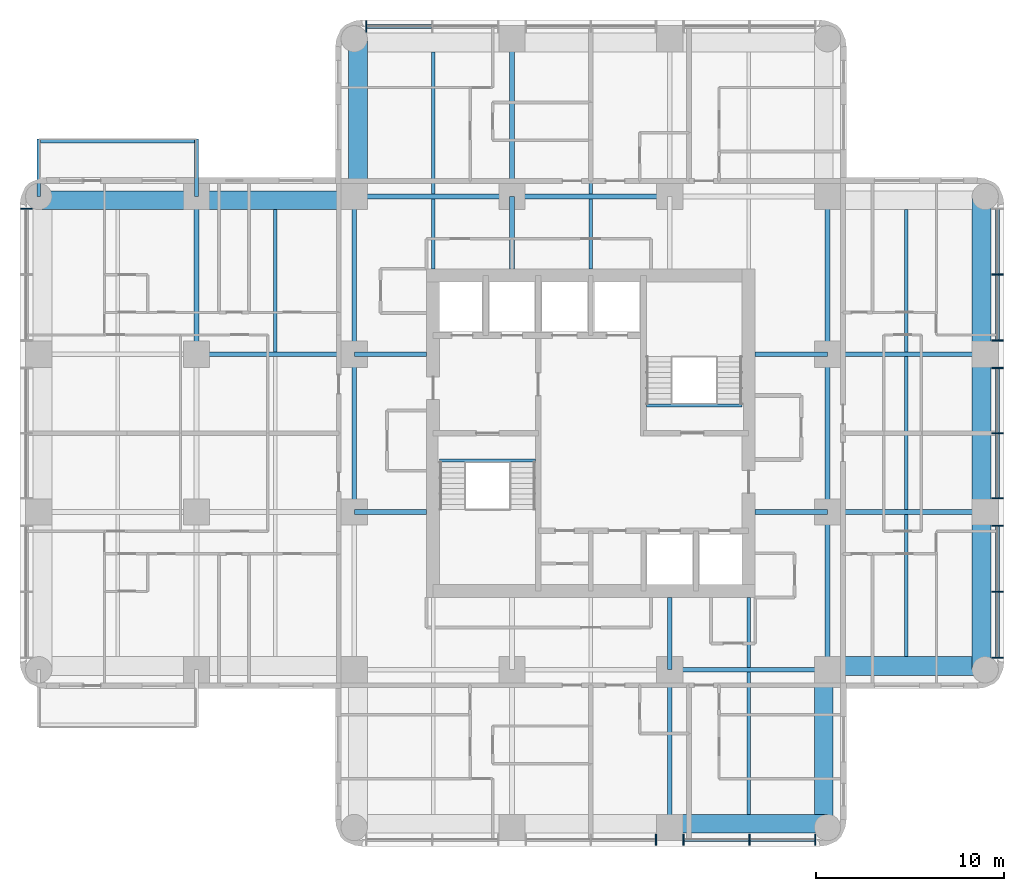
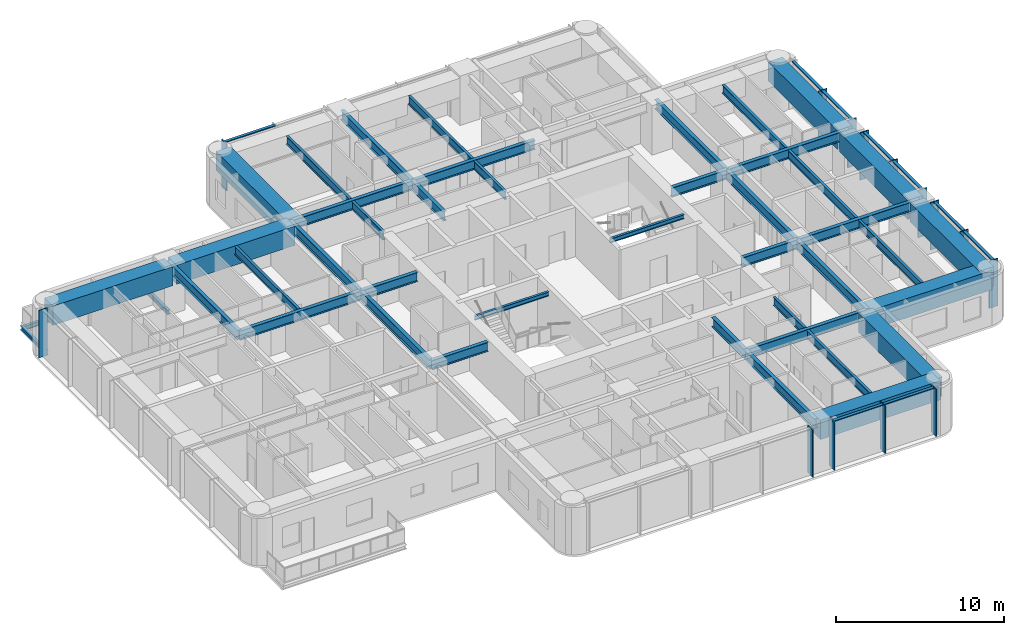
# One storey, part 2 of 11: 44 beams, 23 members, 4 elements without a shape of their own.
"""IFC4 building model written with IfcOpenShell, lengths in metres."""

from ifc_helpers import new_model, si_unit, direction, frame, origin, origin_2d, place, context, subcontext, project, spatial, rectangle, i_section, extrude, material, material_profile, profile_set, type_object, element, aggregate, save


model = new_model("IFC4")

# Units and contexts
model_context = context("Model", 3, precision=1e-05, world=origin(), true_north=direction((0.0, 1.0)))
body_context = subcontext(model_context, "Body", "Model", "MODEL_VIEW")
ifc_project = project(units=[si_unit("LENGTHUNIT", "METRE"), si_unit("AREAUNIT", "SQUARE_METRE"), si_unit("VOLUMEUNIT", "CUBIC_METRE"), si_unit("PLANEANGLEUNIT", "RADIAN"), si_unit("MASSUNIT", "GRAM", prefix="KILO")], contexts=[model_context])

# Site, building, storey
site_placement = place(None, origin())
site = spatial("IfcSite", under=ifc_project, at=site_placement, CompositionType="ELEMENT")
building_placement = place(site_placement, origin())
building = spatial("IfcBuilding", under=site, at=building_placement, Name="Torre Alcanfor", CompositionType="ELEMENT")
storey_placement = place(building_placement, frame((0.0, 0.0, 204.89990234375)))
storey = spatial("IfcBuildingStorey", under=building, at=storey_placement, Name="L53", CompositionType="ELEMENT", Elevation=204.89990234375)

# Beams
ifc_material_1 = material(Name="Steel ASTM A992 Grade 50", Category="steel")
ifc_material_profile_1 = material_profile(ifc_material_1, i_section(OverallWidth=0.205322265625, OverallDepth=0.309814453125, WebThickness=0.00927734375, FlangeThickness=0.016357421875, at=origin_2d()), Name="W12x50")
ifc_profile_set_1 = profile_set([ifc_material_profile_1], Name="Steel ASTM A992 Grade 50")
beam_type_1 = type_object("IfcBeamType", Name="Balcony cantilever beam W12x50", PredefinedType="BEAM", material=ifc_profile_set_1)
for number, where, z_axis, x_axis, name in (
    (1, (8.39990234375, 42.0, -0.354736328125), (0.0, 1.0, 0.0), (-1.0, 0.0, 0.0), "Balcony cantilever beam L53-W2 1"),
    (2, (0.0, 42.0, -0.354736328125), (0.0, 1.0, 0.0), (-1.0, 0.0, 0.0), "Balcony cantilever beam L53-W2 2"),
):
    element("IfcBeam", number, at=place(storey_placement, frame(where, z_axis=z_axis, x_axis=x_axis)), inside=storey, type_object=beam_type_1, Name=name, PredefinedType="BEAM", context=body_context, shape_type="SweptSolid", body=[
        extrude(i_section(OverallWidth=0.205322265625, OverallDepth=0.309814453125, WebThickness=0.00927734375, FlangeThickness=0.016357421875, at=origin_2d()), origin(), (0.0, 0.0, 1.0), 3.050048828125),
    ])
ifc_material_2 = material(Name="Steel ASTM A992 Grade 50", Category="steel")
ifc_material_profile_2 = material_profile(ifc_material_2, i_section(OverallWidth=0.203369140625, OverallDepth=0.30224609375, WebThickness=0.007568359375, FlangeThickness=0.01318359375, at=origin_2d()), Name="W12x40")
ifc_profile_set_2 = profile_set([ifc_material_profile_2], Name="Steel ASTM A992 Grade 50")
beam_type_2 = type_object("IfcBeamType", Name="Balcony edge trimmer W12x40", PredefinedType="BEAM", material=ifc_profile_set_2)
beam_1_placement = place(storey_placement, frame((8.39990234375, 44.9482421875, -0.35107421875), z_axis=(-1.0, 0.0, 0.0), x_axis=(0.0, -1.0, 0.0)))
element("IfcBeam", 3, at=beam_1_placement, inside=storey, type_object=beam_type_2, Name="Balcony edge trimmer L53-W2", PredefinedType="BEAM", context=body_context, shape_type="SweptSolid", body=[
    extrude(i_section(OverallWidth=0.203369140625, OverallDepth=0.30224609375, WebThickness=0.007568359375, FlangeThickness=0.01318359375, at=origin_2d()), origin(), (0.0, 0.0, 1.0), 8.39990234375),
])

# Curtain wall, member
ifc_material_3 = material(Name="Aluminium and glass", Category="aluminium")
curtain_wall_type = type_object("IfcCurtainWallType", Name="CW-A unitised apartment glazing with vertical FIN", PredefinedType="NOTDEFINED", material=ifc_material_3)
curtain_wall_1_placement = place(storey_placement, origin())
curtain_wall_1 = element("IfcCurtainWall", 4, at=curtain_wall_1_placement, inside=storey, type_object=curtain_wall_type, Name="Curtain wall CW-A L53 2", PredefinedType="NOTDEFINED")
ifc_material_4 = material(Name="Bronze anodised aluminium", Category="aluminium")
ifc_material_profile_3 = material_profile(ifc_material_4, rectangle(XDim=0.60009765625, YDim=0.06494140625, at=origin_2d()), Name="CW-A mullion 65x600")
ifc_profile_set_3 = profile_set([ifc_material_profile_3], Name="Bronze anodised aluminium")
member_type_1 = type_object("IfcMemberType", Name="CW-A mullion with vertical FIN 65x600", PredefinedType="MULLION", material=ifc_profile_set_3)
member_1_placement = place(storey_placement, frame((-0.64990234375, 41.35546875, 0.0), z_axis=(0.0, 0.0, 1.0), x_axis=(1.0, 0.0, 0.0)))
member_1 = element("IfcMember", 5, at=member_1_placement, type_object=member_type_1, Name="CW-A mullion 1.1", PredefinedType="MULLION", context=body_context, shape_type="SweptSolid", body=[
    extrude(rectangle(XDim=0.60009765625, YDim=0.06494140625, at=origin_2d()), origin(), (0.0, 0.0, 1.0), 3.4501953125),
])
aggregate(curtain_wall_1, [member_1])

# Curtain wall, members
curtain_wall_2_placement = place(storey_placement, origin())
curtain_wall_2 = element("IfcCurtainWall", 6, at=curtain_wall_2_placement, inside=storey, type_object=curtain_wall_type, Name="Curtain wall CW-A L53 5", PredefinedType="NOTDEFINED")
member_2_placement = place(storey_placement, frame((32.862548828125, 7.75, 0.0), z_axis=(0.0, 0.0, 1.0), x_axis=(0.0, 1.0, 0.0)))
member_2 = element("IfcMember", 7, at=member_2_placement, type_object=member_type_1, Name="CW-A mullion 2.3", PredefinedType="MULLION", context=body_context, shape_type="SweptSolid", body=[
    extrude(rectangle(XDim=0.60009765625, YDim=0.06494140625, at=origin_2d()), origin(), (0.0, 0.0, 1.0), 3.4501953125),
])
member_3_placement = place(storey_placement, frame((34.33740234375, 7.75, 0.0), z_axis=(0.0, 0.0, 1.0), x_axis=(0.0, 1.0, 0.0)))
member_3 = element("IfcMember", 8, at=member_3_placement, type_object=member_type_1, Name="CW-A mullion 3.1", PredefinedType="MULLION", context=body_context, shape_type="SweptSolid", body=[
    extrude(rectangle(XDim=0.60009765625, YDim=0.06494140625, at=origin_2d()), origin(), (0.0, 0.0, 1.0), 3.4501953125),
])
member_4_placement = place(storey_placement, frame((37.846435546875, 7.75, 0.0), z_axis=(0.0, 0.0, 1.0), x_axis=(0.0, 1.0, 0.0)))
member_4 = element("IfcMember", 9, at=member_4_placement, type_object=member_type_1, Name="CW-A mullion 3.2", PredefinedType="MULLION", context=body_context, shape_type="SweptSolid", body=[
    extrude(rectangle(XDim=0.60009765625, YDim=0.06494140625, at=origin_2d()), origin(), (0.0, 0.0, 1.0), 3.4501953125),
])
member_5_placement = place(storey_placement, frame((41.35546875, 7.75, 0.0), z_axis=(0.0, 0.0, 1.0), x_axis=(0.0, 1.0, 0.0)))
member_5 = element("IfcMember", 10, at=member_5_placement, type_object=member_type_1, Name="CW-A mullion 3.3", PredefinedType="MULLION", context=body_context, shape_type="SweptSolid", body=[
    extrude(rectangle(XDim=0.60009765625, YDim=0.06494140625, at=origin_2d()), origin(), (0.0, 0.0, 1.0), 3.4501953125),
])

curtain_wall_3_placement = place(storey_placement, origin())
curtain_wall_3 = element("IfcCurtainWall", 11, at=curtain_wall_3_placement, inside=storey, type_object=curtain_wall_type, Name="Curtain wall CW-A L53 8", PredefinedType="NOTDEFINED")
member_6_placement = place(storey_placement, frame((51.050048828125, 17.444580078125, 0.0), z_axis=(0.0, 0.0, 1.0), x_axis=(-1.0, 0.0, 0.0)))
member_6 = element("IfcMember", 12, at=member_6_placement, type_object=member_type_1, Name="CW-A mullion 1.1", PredefinedType="MULLION", context=body_context, shape_type="SweptSolid", body=[
    extrude(rectangle(XDim=0.60009765625, YDim=0.06494140625, at=origin_2d()), origin(), (0.0, 0.0, 1.0), 3.4501953125),
])
member_7_placement = place(storey_placement, frame((51.050048828125, 20.95361328125, 0.0), z_axis=(0.0, 0.0, 1.0), x_axis=(-1.0, 0.0, 0.0)))
member_7 = element("IfcMember", 13, at=member_7_placement, type_object=member_type_1, Name="CW-A mullion 1.2", PredefinedType="MULLION", context=body_context, shape_type="SweptSolid", body=[
    extrude(rectangle(XDim=0.60009765625, YDim=0.06494140625, at=origin_2d()), origin(), (0.0, 0.0, 1.0), 3.4501953125),
])
member_8_placement = place(storey_placement, frame((51.050048828125, 24.46240234375, 0.0), z_axis=(0.0, 0.0, 1.0), x_axis=(-1.0, 0.0, 0.0)))
member_8 = element("IfcMember", 14, at=member_8_placement, type_object=member_type_1, Name="CW-A mullion 1.3", PredefinedType="MULLION", context=body_context, shape_type="SweptSolid", body=[
    extrude(rectangle(XDim=0.60009765625, YDim=0.06494140625, at=origin_2d()), origin(), (0.0, 0.0, 1.0), 3.4501953125),
])
member_9_placement = place(storey_placement, frame((51.050048828125, 25.9375, 0.0), z_axis=(0.0, 0.0, 1.0), x_axis=(-1.0, 0.0, 0.0)))
member_9 = element("IfcMember", 15, at=member_9_placement, type_object=member_type_1, Name="CW-A mullion 2.1", PredefinedType="MULLION", context=body_context, shape_type="SweptSolid", body=[
    extrude(rectangle(XDim=0.60009765625, YDim=0.06494140625, at=origin_2d()), origin(), (0.0, 0.0, 1.0), 3.4501953125),
])
member_10_placement = place(storey_placement, frame((51.050048828125, 29.39990234375, 0.0), z_axis=(0.0, 0.0, 1.0), x_axis=(-1.0, 0.0, 0.0)))
member_10 = element("IfcMember", 16, at=member_10_placement, type_object=member_type_1, Name="CW-A mullion 2.2", PredefinedType="MULLION", context=body_context, shape_type="SweptSolid", body=[
    extrude(rectangle(XDim=0.60009765625, YDim=0.06494140625, at=origin_2d()), origin(), (0.0, 0.0, 1.0), 3.4501953125),
])
member_11_placement = place(storey_placement, frame((51.050048828125, 32.862548828125, 0.0), z_axis=(0.0, 0.0, 1.0), x_axis=(-1.0, 0.0, 0.0)))
member_11 = element("IfcMember", 17, at=member_11_placement, type_object=member_type_1, Name="CW-A mullion 2.3", PredefinedType="MULLION", context=body_context, shape_type="SweptSolid", body=[
    extrude(rectangle(XDim=0.60009765625, YDim=0.06494140625, at=origin_2d()), origin(), (0.0, 0.0, 1.0), 3.4501953125),
])
member_12_placement = place(storey_placement, frame((51.050048828125, 34.33740234375, 0.0), z_axis=(0.0, 0.0, 1.0), x_axis=(-1.0, 0.0, 0.0)))
member_12 = element("IfcMember", 18, at=member_12_placement, type_object=member_type_1, Name="CW-A mullion 3.1", PredefinedType="MULLION", context=body_context, shape_type="SweptSolid", body=[
    extrude(rectangle(XDim=0.60009765625, YDim=0.06494140625, at=origin_2d()), origin(), (0.0, 0.0, 1.0), 3.4501953125),
])
member_13_placement = place(storey_placement, frame((51.050048828125, 37.846435546875, 0.0), z_axis=(0.0, 0.0, 1.0), x_axis=(-1.0, 0.0, 0.0)))
member_13 = element("IfcMember", 19, at=member_13_placement, type_object=member_type_1, Name="CW-A mullion 3.2", PredefinedType="MULLION", context=body_context, shape_type="SweptSolid", body=[
    extrude(rectangle(XDim=0.60009765625, YDim=0.06494140625, at=origin_2d()), origin(), (0.0, 0.0, 1.0), 3.4501953125),
])

# Curtain wall, member
curtain_wall_4_placement = place(storey_placement, origin())
curtain_wall_4 = element("IfcCurtainWall", 20, at=curtain_wall_4_placement, inside=storey, type_object=curtain_wall_type, Name="Curtain wall CW-A L53 11", PredefinedType="NOTDEFINED")
member_14_placement = place(storey_placement, frame((17.444580078125, 51.050048828125, 0.0), z_axis=(0.0, 0.0, 1.0), x_axis=(0.0, -1.0, 0.0)))
member_14 = element("IfcMember", 21, at=member_14_placement, type_object=member_type_1, Name="CW-A mullion 3.3", PredefinedType="MULLION", context=body_context, shape_type="SweptSolid", body=[
    extrude(rectangle(XDim=0.60009765625, YDim=0.06494140625, at=origin_2d()), origin(), (0.0, 0.0, 1.0), 3.4501953125),
])

# Member
ifc_material_5 = material(Name="Extruded aluminium", Category="aluminium")
ifc_material_profile_4 = material_profile(ifc_material_5, rectangle(XDim=0.199951171875, YDim=0.06494140625, at=origin_2d()), Name="CW-A transom 200x65")
ifc_profile_set_4 = profile_set([ifc_material_profile_4], Name="Extruded aluminium")
member_type_2 = type_object("IfcMemberType", Name="CW-A transom 65x200", PredefinedType="USERDEFINED", material=ifc_profile_set_4)
member_15_placement = place(storey_placement, frame((34.3701171875, 7.75, 3.41748046875), z_axis=(1.0, 0.0, 0.0), x_axis=(0.0, 1.0, 0.0)))
member_15 = element("IfcMember", 22, at=member_15_placement, type_object=member_type_2, Name="CW-A transom 3.1.2", ObjectType="TRANSOM", PredefinedType="USERDEFINED", context=body_context, shape_type="SweptSolid", body=[
    extrude(rectangle(XDim=0.199951171875, YDim=0.06494140625, at=origin_2d()), origin(), (0.0, 0.0, 1.0), 3.44384765625),
])

member_16_placement = place(storey_placement, frame((37.87890625, 7.75, 3.41748046875), z_axis=(1.0, 0.0, 0.0), x_axis=(0.0, 1.0, 0.0)))
member_16 = element("IfcMember", 23, at=member_16_placement, type_object=member_type_2, Name="CW-A transom 3.2.2", ObjectType="TRANSOM", PredefinedType="USERDEFINED", context=body_context, shape_type="SweptSolid", body=[
    extrude(rectangle(XDim=0.199951171875, YDim=0.06494140625, at=origin_2d()), origin(), (0.0, 0.0, 1.0), 3.444091796875),
])

aggregate(curtain_wall_2, [member_2, member_3, member_4, member_5, member_15, member_16])

member_17_placement = place(storey_placement, frame((51.050048828125, 17.47705078125, 3.41748046875), z_axis=(0.0, 1.0, 0.0), x_axis=(-1.0, 0.0, 0.0)))
member_17 = element("IfcMember", 24, at=member_17_placement, type_object=member_type_2, Name="CW-A transom 1.1.2", ObjectType="TRANSOM", PredefinedType="USERDEFINED", context=body_context, shape_type="SweptSolid", body=[
    extrude(rectangle(XDim=0.199951171875, YDim=0.06494140625, at=origin_2d()), origin(), (0.0, 0.0, 1.0), 3.44384765625),
])

member_18_placement = place(storey_placement, frame((51.050048828125, 20.986083984375, 3.41748046875), z_axis=(0.0, 1.0, 0.0), x_axis=(-1.0, 0.0, 0.0)))
member_18 = element("IfcMember", 25, at=member_18_placement, type_object=member_type_2, Name="CW-A transom 1.2.2", ObjectType="TRANSOM", PredefinedType="USERDEFINED", context=body_context, shape_type="SweptSolid", body=[
    extrude(rectangle(XDim=0.199951171875, YDim=0.06494140625, at=origin_2d()), origin(), (0.0, 0.0, 1.0), 3.44384765625),
])

member_19_placement = place(storey_placement, frame((51.050048828125, 25.969970703125, 3.41748046875), z_axis=(0.0, 1.0, 0.0), x_axis=(-1.0, 0.0, 0.0)))
member_19 = element("IfcMember", 26, at=member_19_placement, type_object=member_type_2, Name="CW-A transom 2.1.2", ObjectType="TRANSOM", PredefinedType="USERDEFINED", context=body_context, shape_type="SweptSolid", body=[
    extrude(rectangle(XDim=0.199951171875, YDim=0.06494140625, at=origin_2d()), origin(), (0.0, 0.0, 1.0), 3.3974609375),
])

member_20_placement = place(storey_placement, frame((51.050048828125, 29.4326171875, 3.41748046875), z_axis=(0.0, 1.0, 0.0), x_axis=(-1.0, 0.0, 0.0)))
member_20 = element("IfcMember", 27, at=member_20_placement, type_object=member_type_2, Name="CW-A transom 2.2.2", ObjectType="TRANSOM", PredefinedType="USERDEFINED", context=body_context, shape_type="SweptSolid", body=[
    extrude(rectangle(XDim=0.199951171875, YDim=0.06494140625, at=origin_2d()), origin(), (0.0, 0.0, 1.0), 3.3974609375),
])

member_21_placement = place(storey_placement, frame((51.050048828125, 34.3701171875, 3.41748046875), z_axis=(0.0, 1.0, 0.0), x_axis=(-1.0, 0.0, 0.0)))
member_21 = element("IfcMember", 28, at=member_21_placement, type_object=member_type_2, Name="CW-A transom 3.1.2", ObjectType="TRANSOM", PredefinedType="USERDEFINED", context=body_context, shape_type="SweptSolid", body=[
    extrude(rectangle(XDim=0.199951171875, YDim=0.06494140625, at=origin_2d()), origin(), (0.0, 0.0, 1.0), 3.44384765625),
])

member_22_placement = place(storey_placement, frame((51.050048828125, 37.87890625, 3.41748046875), z_axis=(0.0, 1.0, 0.0), x_axis=(-1.0, 0.0, 0.0)))
member_22 = element("IfcMember", 29, at=member_22_placement, type_object=member_type_2, Name="CW-A transom 3.2.2", ObjectType="TRANSOM", PredefinedType="USERDEFINED", context=body_context, shape_type="SweptSolid", body=[
    extrude(rectangle(XDim=0.199951171875, YDim=0.06494140625, at=origin_2d()), origin(), (0.0, 0.0, 1.0), 3.444091796875),
])

aggregate(curtain_wall_3, [member_6, member_7, member_8, member_17, member_18, member_9, member_10, member_11, member_19, member_20, member_12, member_13, member_21, member_22])

member_23_placement = place(storey_placement, frame((20.9208984375, 51.050048828125, 3.41748046875), z_axis=(-1.0, 0.0, 0.0), x_axis=(0.0, -1.0, 0.0)))
member_23 = element("IfcMember", 30, at=member_23_placement, type_object=member_type_2, Name="CW-A transom 3.2.2", ObjectType="TRANSOM", PredefinedType="USERDEFINED", context=body_context, shape_type="SweptSolid", body=[
    extrude(rectangle(XDim=0.199951171875, YDim=0.06494140625, at=origin_2d()), origin(), (0.0, 0.0, 1.0), 3.44384765625),
])

aggregate(curtain_wall_4, [member_14, member_23])

# Beams
ifc_material_6 = material(Name="Steel ASTM A992 Grade 50", Category="steel")
ifc_material_profile_5 = material_profile(ifc_material_6, i_section(OverallWidth=0.25390625, OverallDepth=0.683349609375, WebThickness=0.012451171875, FlangeThickness=0.01904296875, at=origin_2d()), Name="W27x94")
ifc_profile_set_5 = profile_set([ifc_material_profile_5], Name="Steel ASTM A992 Grade 50")
beam_type_3 = type_object("IfcBeamType", Name="Girder W27x94", PredefinedType="BEAM", material=ifc_profile_set_5)
for number, where, z_axis, x_axis, name in (
    (31, (33.60009765625, 16.800048828125, 3.1083984375), (1.0, 0.0, 0.0), (0.0, 1.0, 0.0), "Beam 5E-6E under L54"),
    (32, (42.0, 25.199951171875, 3.1083984375), (1.0, 0.0, 0.0), (0.0, 1.0, 0.0), "Beam 6F-7F under L54"),
):
    element("IfcBeam", number, at=place(storey_placement, frame(where, z_axis=z_axis, x_axis=x_axis)), inside=storey, type_object=beam_type_3, Name=name, PredefinedType="BEAM", context=body_context, shape_type="SweptSolid", body=[
        extrude(i_section(OverallWidth=0.25390625, OverallDepth=0.683349609375, WebThickness=0.012451171875, FlangeThickness=0.01904296875, at=origin_2d()), origin(), (0.0, 0.0, 1.0), 8.39990234375),
    ])
beam_2_placement = place(storey_placement, frame((8.39990234375, 33.60009765625, 3.1083984375), z_axis=(1.0, 0.0, 0.0), x_axis=(0.0, 1.0, 0.0)))
element("IfcBeam", 33, at=beam_2_placement, inside=storey, type_object=beam_type_3, Name="Beam 2G-3G under L54", PredefinedType="BEAM", context=body_context, shape_type="SweptSolid", body=[
    extrude(i_section(OverallWidth=0.25390625, OverallDepth=0.683349609375, WebThickness=0.012451171875, FlangeThickness=0.01904296875, at=origin_2d()), origin(), (0.0, 0.0, 1.0), 8.400146484375),
])
for number, where, z_axis, x_axis, name in (
    (34, (42.0, 33.60009765625, 3.1083984375), (1.0, 0.0, 0.0), (0.0, 1.0, 0.0), "Beam 6G-7G under L54"),
    (35, (16.800048828125, 42.0, 3.1083984375), (1.0, 0.0, 0.0), (0.0, 1.0, 0.0), "Beam 3H-4H under L54"),
):
    element("IfcBeam", number, at=place(storey_placement, frame(where, z_axis=z_axis, x_axis=x_axis)), inside=storey, type_object=beam_type_3, Name=name, PredefinedType="BEAM", context=body_context, shape_type="SweptSolid", body=[
        extrude(i_section(OverallWidth=0.25390625, OverallDepth=0.683349609375, WebThickness=0.012451171875, FlangeThickness=0.01904296875, at=origin_2d()), origin(), (0.0, 0.0, 1.0), 8.39990234375),
    ])
beam_3_placement = place(storey_placement, frame((25.199951171875, 42.0, 3.1083984375), z_axis=(1.0, 0.0, 0.0), x_axis=(0.0, 1.0, 0.0)))
element("IfcBeam", 36, at=beam_3_placement, inside=storey, type_object=beam_type_3, Name="Beam 4H-5H under L54", PredefinedType="BEAM", context=body_context, shape_type="SweptSolid", body=[
    extrude(i_section(OverallWidth=0.25390625, OverallDepth=0.683349609375, WebThickness=0.012451171875, FlangeThickness=0.01904296875, at=origin_2d()), origin(), (0.0, 0.0, 1.0), 8.400146484375),
])
beam_4_placement = place(storey_placement, frame((8.39990234375, 33.60009765625, 3.1083984375), z_axis=(0.0, 1.0, 0.0), x_axis=(-1.0, 0.0, 0.0)))
element("IfcBeam", 37, at=beam_4_placement, inside=storey, type_object=beam_type_3, Name="Beam 2G-2H under L54", PredefinedType="BEAM", context=body_context, shape_type="SweptSolid", body=[
    extrude(i_section(OverallWidth=0.25390625, OverallDepth=0.683349609375, WebThickness=0.012451171875, FlangeThickness=0.01904296875, at=origin_2d()), origin(), (0.0, 0.0, 1.0), 8.39990234375),
])
beam_5_placement = place(storey_placement, frame((16.800048828125, 25.199951171875, 3.1083984375), z_axis=(0.0, 1.0, 0.0), x_axis=(-1.0, 0.0, 0.0)))
element("IfcBeam", 38, at=beam_5_placement, inside=storey, type_object=beam_type_3, Name="Beam 3F-3G under L54", PredefinedType="BEAM", context=body_context, shape_type="SweptSolid", body=[
    extrude(i_section(OverallWidth=0.25390625, OverallDepth=0.683349609375, WebThickness=0.012451171875, FlangeThickness=0.01904296875, at=origin_2d()), origin(), (0.0, 0.0, 1.0), 8.400146484375),
])
for number, where, z_axis, x_axis, name in (
    (39, (16.800048828125, 33.60009765625, 3.1083984375), (0.0, 1.0, 0.0), (-1.0, 0.0, 0.0), "Beam 3G-3H under L54"),
    (40, (25.199951171875, 42.0, 3.1083984375), (0.0, 1.0, 0.0), (-1.0, 0.0, 0.0), "Beam 4H-4J under L54"),
):
    element("IfcBeam", number, at=place(storey_placement, frame(where, z_axis=z_axis, x_axis=x_axis)), inside=storey, type_object=beam_type_3, Name=name, PredefinedType="BEAM", context=body_context, shape_type="SweptSolid", body=[
        extrude(i_section(OverallWidth=0.25390625, OverallDepth=0.683349609375, WebThickness=0.012451171875, FlangeThickness=0.01904296875, at=origin_2d()), origin(), (0.0, 0.0, 1.0), 8.39990234375),
    ])
beam_6_placement = place(storey_placement, frame((33.60009765625, 8.39990234375, 3.1083984375), z_axis=(0.0, 1.0, 0.0), x_axis=(-1.0, 0.0, 0.0)))
element("IfcBeam", 41, at=beam_6_placement, inside=storey, type_object=beam_type_3, Name="Beam 5D-5E under L54", PredefinedType="BEAM", context=body_context, shape_type="SweptSolid", body=[
    extrude(i_section(OverallWidth=0.25390625, OverallDepth=0.683349609375, WebThickness=0.012451171875, FlangeThickness=0.01904296875, at=origin_2d()), origin(), (0.0, 0.0, 1.0), 8.400146484375),
])
beam_7_placement = place(storey_placement, frame((42.0, 16.800048828125, 3.1083984375), z_axis=(0.0, 1.0, 0.0), x_axis=(-1.0, 0.0, 0.0)))
element("IfcBeam", 42, at=beam_7_placement, inside=storey, type_object=beam_type_3, Name="Beam 6E-6F under L54", PredefinedType="BEAM", context=body_context, shape_type="SweptSolid", body=[
    extrude(i_section(OverallWidth=0.25390625, OverallDepth=0.683349609375, WebThickness=0.012451171875, FlangeThickness=0.01904296875, at=origin_2d()), origin(), (0.0, 0.0, 1.0), 8.39990234375),
])
beam_8_placement = place(storey_placement, frame((42.0, 25.199951171875, 3.1083984375), z_axis=(0.0, 1.0, 0.0), x_axis=(-1.0, 0.0, 0.0)))
element("IfcBeam", 43, at=beam_8_placement, inside=storey, type_object=beam_type_3, Name="Beam 6F-6G under L54", PredefinedType="BEAM", context=body_context, shape_type="SweptSolid", body=[
    extrude(i_section(OverallWidth=0.25390625, OverallDepth=0.683349609375, WebThickness=0.012451171875, FlangeThickness=0.01904296875, at=origin_2d()), origin(), (0.0, 0.0, 1.0), 8.400146484375),
])
beam_9_placement = place(storey_placement, frame((42.0, 33.60009765625, 3.1083984375), z_axis=(0.0, 1.0, 0.0), x_axis=(-1.0, 0.0, 0.0)))
element("IfcBeam", 44, at=beam_9_placement, inside=storey, type_object=beam_type_3, Name="Beam 6G-6H under L54", PredefinedType="BEAM", context=body_context, shape_type="SweptSolid", body=[
    extrude(i_section(OverallWidth=0.25390625, OverallDepth=0.683349609375, WebThickness=0.012451171875, FlangeThickness=0.01904296875, at=origin_2d()), origin(), (0.0, 0.0, 1.0), 8.39990234375),
])
ifc_material_7 = material(Name="Steel ASTM A992 Grade 50", Category="steel")
ifc_material_profile_6 = material_profile(ifc_material_7, i_section(OverallWidth=0.25390625, OverallDepth=0.683349609375, WebThickness=0.012451171875, FlangeThickness=0.01904296875, at=origin_2d()), Name="W27x94")
ifc_profile_set_6 = profile_set([ifc_material_profile_6], Name="Steel ASTM A992 Grade 50")
beam_type_4 = type_object("IfcBeamType", Name="Girder, part bay W27x94", PredefinedType="BEAM", material=ifc_profile_set_6)
beam_10_placement = place(storey_placement, frame((25.199951171875, 42.0, 3.1083984375), z_axis=(0.0, -1.0, 0.0), x_axis=(1.0, 0.0, 0.0)))
element("IfcBeam", 45, at=beam_10_placement, inside=storey, type_object=beam_type_4, Name="Beam 4H-438_15 under L54", PredefinedType="BEAM", context=body_context, shape_type="SweptSolid", body=[
    extrude(i_section(OverallWidth=0.25390625, OverallDepth=0.683349609375, WebThickness=0.012451171875, FlangeThickness=0.01904296875, at=origin_2d()), origin(), (0.0, 0.0, 1.0), 3.85009765625),
])
for number, where, z_axis, x_axis, name in (
    (46, (33.60009765625, 16.800048828125, 3.1083984375), (0.0, 1.0, 0.0), (-1.0, 0.0, 0.0), "Beam 5E-520_65 under L54"),
    (47, (16.800048828125, 25.199951171875, 3.1083984375), (1.0, 0.0, 0.0), (0.0, 1.0, 0.0), "Beam 3F-20_65F under L54"),
):
    element("IfcBeam", number, at=place(storey_placement, frame(where, z_axis=z_axis, x_axis=x_axis)), inside=storey, type_object=beam_type_4, Name=name, PredefinedType="BEAM", context=body_context, shape_type="SweptSolid", body=[
        extrude(i_section(OverallWidth=0.25390625, OverallDepth=0.683349609375, WebThickness=0.012451171875, FlangeThickness=0.01904296875, at=origin_2d()), origin(), (0.0, 0.0, 1.0), 3.849853515625),
    ])
beam_11_placement = place(storey_placement, frame((42.0, 25.199951171875, 3.1083984375), z_axis=(-1.0, 0.0, 0.0), x_axis=(0.0, -1.0, 0.0)))
element("IfcBeam", 48, at=beam_11_placement, inside=storey, type_object=beam_type_4, Name="Beam 6F-38_15F under L54", PredefinedType="BEAM", context=body_context, shape_type="SweptSolid", body=[
    extrude(i_section(OverallWidth=0.25390625, OverallDepth=0.683349609375, WebThickness=0.012451171875, FlangeThickness=0.01904296875, at=origin_2d()), origin(), (0.0, 0.0, 1.0), 3.85009765625),
])
beam_12_placement = place(storey_placement, frame((16.800048828125, 33.60009765625, 3.1083984375), z_axis=(1.0, 0.0, 0.0), x_axis=(0.0, 1.0, 0.0)))
element("IfcBeam", 49, at=beam_12_placement, inside=storey, type_object=beam_type_4, Name="Beam 3G-20_65G under L54", PredefinedType="BEAM", context=body_context, shape_type="SweptSolid", body=[
    extrude(i_section(OverallWidth=0.25390625, OverallDepth=0.683349609375, WebThickness=0.012451171875, FlangeThickness=0.01904296875, at=origin_2d()), origin(), (0.0, 0.0, 1.0), 3.849853515625),
])
beam_13_placement = place(storey_placement, frame((42.0, 33.60009765625, 3.1083984375), z_axis=(-1.0, 0.0, 0.0), x_axis=(0.0, -1.0, 0.0)))
element("IfcBeam", 50, at=beam_13_placement, inside=storey, type_object=beam_type_4, Name="Beam 6G-38_15G under L54", PredefinedType="BEAM", context=body_context, shape_type="SweptSolid", body=[
    extrude(i_section(OverallWidth=0.25390625, OverallDepth=0.683349609375, WebThickness=0.012451171875, FlangeThickness=0.01904296875, at=origin_2d()), origin(), (0.0, 0.0, 1.0), 3.85009765625),
])
ifc_material_8 = material(Name="Concrete f'c 70 MPa", Category="concrete")
ifc_material_profile_7 = material_profile(ifc_material_8, rectangle(XDim=1.0, YDim=1.39990234375, at=origin_2d()), Name="1000x1400")
ifc_profile_set_7 = profile_set([ifc_material_profile_7], Name="Concrete f'c 70 MPa")
beam_type_5 = type_object("IfcBeamType", Name="RC perimeter beam 1000x1400", PredefinedType="BEAM", material=ifc_profile_set_7)
for number, where, z_axis, x_axis, name in (
    (51, (33.72705078125, 8.60009765625, 2.75), (1.0, 0.0, 0.0), (0.0, 1.0, 0.0), "Beam 5D-6D under L54"),
    (52, (42.126953125, 17.0, 2.75), (1.0, 0.0, 0.0), (0.0, 1.0, 0.0), "Beam 6E-7E under L54"),
    (53, (0.0, 41.800048828125, 2.75), (1.0, 0.0, 0.0), (0.0, 1.0, 0.0), "Beam 1H-2H under L54"),
):
    element("IfcBeam", number, at=place(storey_placement, frame(where, z_axis=z_axis, x_axis=x_axis)), inside=storey, type_object=beam_type_5, Name=name, PredefinedType="BEAM", context=body_context, shape_type="SweptSolid", body=[
        extrude(rectangle(XDim=1.0, YDim=1.39990234375, at=origin_2d()), origin(), (0.0, 0.0, 1.0), 8.27294921875),
    ])
beam_14_placement = place(storey_placement, frame((8.527099609375, 41.800048828125, 2.75), z_axis=(1.0, 0.0, 0.0), x_axis=(0.0, 1.0, 0.0)))
element("IfcBeam", 54, at=beam_14_placement, inside=storey, type_object=beam_type_5, Name="Beam 2H-3H under L54", PredefinedType="BEAM", context=body_context, shape_type="SweptSolid", body=[
    extrude(rectangle(XDim=1.0, YDim=1.39990234375, at=origin_2d()), origin(), (0.0, 0.0, 1.0), 8.14599609375),
])
beam_15_placement = place(storey_placement, frame((17.0, 42.126953125, 2.75), z_axis=(0.0, 1.0, 0.0), x_axis=(-1.0, 0.0, 0.0)))
element("IfcBeam", 55, at=beam_15_placement, inside=storey, type_object=beam_type_5, Name="Beam 3H-3J under L54", PredefinedType="BEAM", context=body_context, shape_type="SweptSolid", body=[
    extrude(rectangle(XDim=1.0, YDim=1.39990234375, at=origin_2d()), origin(), (0.0, 0.0, 1.0), 8.27294921875),
])
beam_16_placement = place(storey_placement, frame((41.800048828125, 8.39990234375, 2.75), z_axis=(0.0, 1.0, 0.0), x_axis=(-1.0, 0.0, 0.0)))
element("IfcBeam", 56, at=beam_16_placement, inside=storey, type_object=beam_type_5, Name="Beam 6D-6E under L54", PredefinedType="BEAM", context=body_context, shape_type="SweptSolid", body=[
    extrude(rectangle(XDim=1.0, YDim=1.39990234375, at=origin_2d()), origin(), (0.0, 0.0, 1.0), 8.273193359375),
])
beam_17_placement = place(storey_placement, frame((50.199951171875, 16.800048828125, 2.75), z_axis=(0.0, 1.0, 0.0), x_axis=(-1.0, 0.0, 0.0)))
element("IfcBeam", 57, at=beam_17_placement, inside=storey, type_object=beam_type_5, Name="Beam 7E-7F under L54", PredefinedType="BEAM", context=body_context, shape_type="SweptSolid", body=[
    extrude(rectangle(XDim=1.0, YDim=1.39990234375, at=origin_2d()), origin(), (0.0, 0.0, 1.0), 8.27294921875),
])
beam_18_placement = place(storey_placement, frame((50.199951171875, 25.326904296875, 2.75), z_axis=(0.0, 1.0, 0.0), x_axis=(-1.0, 0.0, 0.0)))
element("IfcBeam", 58, at=beam_18_placement, inside=storey, type_object=beam_type_5, Name="Beam 7F-7G under L54", PredefinedType="BEAM", context=body_context, shape_type="SweptSolid", body=[
    extrude(rectangle(XDim=1.0, YDim=1.39990234375, at=origin_2d()), origin(), (0.0, 0.0, 1.0), 8.14599609375),
])
beam_19_placement = place(storey_placement, frame((50.199951171875, 33.72705078125, 2.75), z_axis=(0.0, 1.0, 0.0), x_axis=(-1.0, 0.0, 0.0)))
element("IfcBeam", 59, at=beam_19_placement, inside=storey, type_object=beam_type_5, Name="Beam 7G-7H under L54", PredefinedType="BEAM", context=body_context, shape_type="SweptSolid", body=[
    extrude(rectangle(XDim=1.0, YDim=1.39990234375, at=origin_2d()), origin(), (0.0, 0.0, 1.0), 8.27294921875),
])
ifc_material_9 = material(Name="Steel ASTM A992 Grade 50", Category="steel")
ifc_material_profile_8 = material_profile(ifc_material_9, i_section(OverallWidth=0.1787109375, OverallDepth=0.60205078125, WebThickness=0.010986328125, FlangeThickness=0.014892578125, at=origin_2d()), Name="W24x62")
ifc_profile_set_8 = profile_set([ifc_material_profile_8], Name="Steel ASTM A992 Grade 50")
beam_type_6 = type_object("IfcBeamType", Name="Secondary beam W24x62", PredefinedType="BEAM", material=ifc_profile_set_8)
for number, where, z_axis, x_axis, name in (
    (60, (12.60009765625, 33.72705078125, 3.149169921875), (0.0, 1.0, 0.0), (-1.0, 0.0, 0.0), "Beam 12_6G-12_6H under L54"),
    (61, (21.0, 42.126953125, 3.149169921875), (0.0, 1.0, 0.0), (-1.0, 0.0, 0.0), "Beam 21H-21J under L54"),
    (62, (29.39990234375, 42.126953125, 3.149169921875), (0.0, 1.0, 0.0), (-1.0, 0.0, 0.0), "Beam 29_4H-29_4J under L54"),
    (63, (37.800048828125, 9.10009765625, 3.149169921875), (0.0, 1.0, 0.0), (-1.0, 0.0, 0.0), "Beam 37_8D-37_8E under L54"),
    (64, (46.199951171875, 17.5, 3.149169921875), (0.0, 1.0, 0.0), (-1.0, 0.0, 0.0), "Beam 46_2E-46_2F under L54"),
):
    element("IfcBeam", number, at=place(storey_placement, frame(where, z_axis=z_axis, x_axis=x_axis)), inside=storey, type_object=beam_type_6, Name=name, PredefinedType="BEAM", context=body_context, shape_type="SweptSolid", body=[
        extrude(i_section(OverallWidth=0.1787109375, OverallDepth=0.60205078125, WebThickness=0.010986328125, FlangeThickness=0.014892578125, at=origin_2d()), origin(), (0.0, 0.0, 1.0), 7.572998046875),
    ])
beam_20_placement = place(storey_placement, frame((46.199951171875, 25.326904296875, 3.149169921875), z_axis=(0.0, 1.0, 0.0), x_axis=(-1.0, 0.0, 0.0)))
element("IfcBeam", 65, at=beam_20_placement, inside=storey, type_object=beam_type_6, Name="Beam 46_2F-46_2G under L54", PredefinedType="BEAM", context=body_context, shape_type="SweptSolid", body=[
    extrude(i_section(OverallWidth=0.1787109375, OverallDepth=0.60205078125, WebThickness=0.010986328125, FlangeThickness=0.014892578125, at=origin_2d()), origin(), (0.0, 0.0, 1.0), 8.14599609375),
])
beam_21_placement = place(storey_placement, frame((46.199951171875, 33.72705078125, 3.149169921875), z_axis=(0.0, 1.0, 0.0), x_axis=(-1.0, 0.0, 0.0)))
element("IfcBeam", 66, at=beam_21_placement, inside=storey, type_object=beam_type_6, Name="Beam 46_2G-46_2H under L54", PredefinedType="BEAM", context=body_context, shape_type="SweptSolid", body=[
    extrude(i_section(OverallWidth=0.1787109375, OverallDepth=0.60205078125, WebThickness=0.010986328125, FlangeThickness=0.014892578125, at=origin_2d()), origin(), (0.0, 0.0, 1.0), 7.572998046875),
])
ifc_material_10 = material(Name="Steel ASTM A992 Grade 50", Category="steel")
ifc_material_profile_9 = material_profile(ifc_material_10, i_section(OverallWidth=0.1787109375, OverallDepth=0.60205078125, WebThickness=0.010986328125, FlangeThickness=0.014892578125, at=origin_2d()), Name="W24x62")
ifc_profile_set_9 = profile_set([ifc_material_profile_9], Name="Steel ASTM A992 Grade 50")
beam_type_7 = type_object("IfcBeamType", Name="Secondary beam, part bay W24x62", PredefinedType="BEAM", material=ifc_profile_set_9)
for number, where, z_axis, x_axis, name in (
    (67, (21.0, 38.14990234375, 3.149169921875), (0.0, 1.0, 0.0), (-1.0, 0.0, 0.0), "Beam 2138_15-21H under L54"),
    (68, (29.39990234375, 38.14990234375, 3.149169921875), (0.0, 1.0, 0.0), (-1.0, 0.0, 0.0), "Beam 29_438_15-29_4H under L54"),
):
    element("IfcBeam", number, at=place(storey_placement, frame(where, z_axis=z_axis, x_axis=x_axis)), inside=storey, type_object=beam_type_7, Name=name, PredefinedType="BEAM", context=body_context, shape_type="SweptSolid", body=[
        extrude(i_section(OverallWidth=0.1787109375, OverallDepth=0.60205078125, WebThickness=0.010986328125, FlangeThickness=0.014892578125, at=origin_2d()), origin(), (0.0, 0.0, 1.0), 3.72314453125),
    ])
beam_22_placement = place(storey_placement, frame((37.800048828125, 16.927001953125, 3.149169921875), z_axis=(0.0, 1.0, 0.0), x_axis=(-1.0, 0.0, 0.0)))
element("IfcBeam", 69, at=beam_22_placement, inside=storey, type_object=beam_type_7, Name="Beam 37_8E-37_820_65 under L54", PredefinedType="BEAM", context=body_context, shape_type="SweptSolid", body=[
    extrude(i_section(OverallWidth=0.1787109375, OverallDepth=0.60205078125, WebThickness=0.010986328125, FlangeThickness=0.014892578125, at=origin_2d()), origin(), (0.0, 0.0, 1.0), 3.722900390625),
])
ifc_material_11 = material(Name="Steel ASTM A992 Grade 50", Category="steel")
ifc_material_profile_10 = material_profile(ifc_material_11, i_section(OverallWidth=0.164794921875, OverallDepth=0.309814453125, WebThickness=0.005859375, FlangeThickness=0.009765625, at=origin_2d()), Name="W12x26")
ifc_profile_set_10 = profile_set([ifc_material_profile_10], Name="Steel ASTM A992 Grade 50")
beam_type_8 = type_object("IfcBeamType", Name="Stair landing beam W12x26", PredefinedType="BEAM", material=ifc_profile_set_10)
for number, where, z_axis, x_axis, name in (
    (70, (21.35009765625, 27.9375, 3.2451171875), (1.0, 0.0, 0.0), (0.0, 1.0, 0.0), "Landing trimmer S1 L54"),
    (71, (32.35009765625, 30.862548828125, 3.2451171875), (1.0, 0.0, 0.0), (0.0, 1.0, 0.0), "Landing trimmer S2 L54"),
):
    element("IfcBeam", number, at=place(storey_placement, frame(where, z_axis=z_axis, x_axis=x_axis)), inside=storey, type_object=beam_type_8, Name=name, PredefinedType="BEAM", context=body_context, shape_type="SweptSolid", body=[
        extrude(i_section(OverallWidth=0.164794921875, OverallDepth=0.309814453125, WebThickness=0.005859375, FlangeThickness=0.009765625, at=origin_2d()), origin(), (0.0, 0.0, 1.0), 5.099853515625),
    ])

save(model, "model.ifc")
